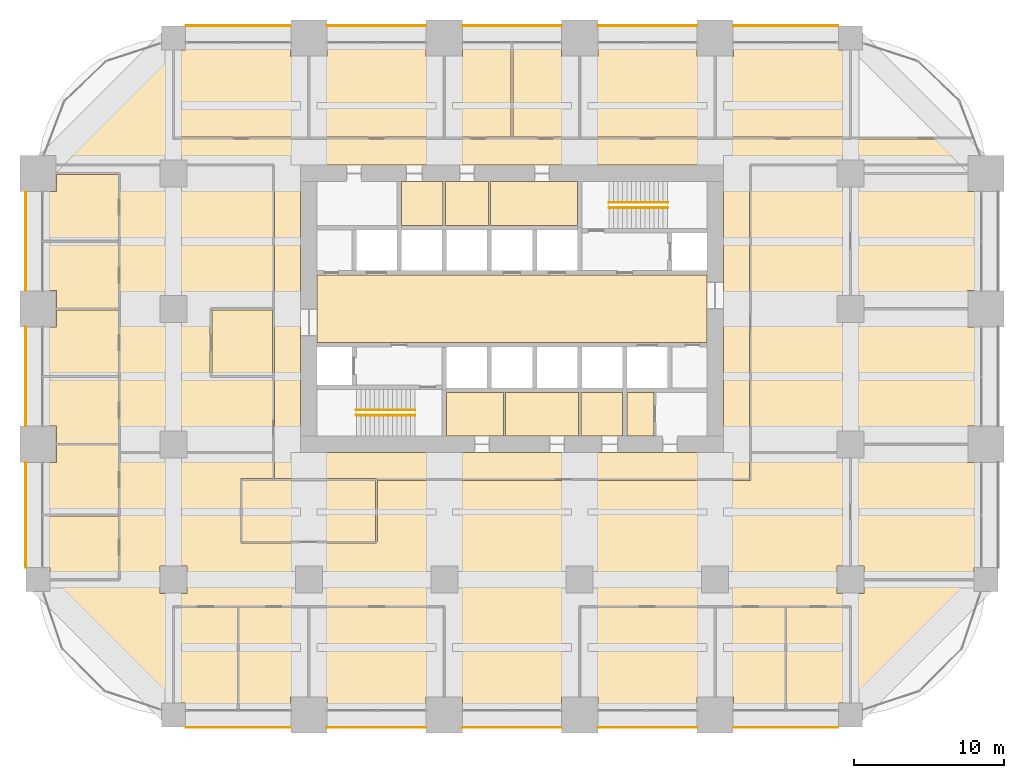
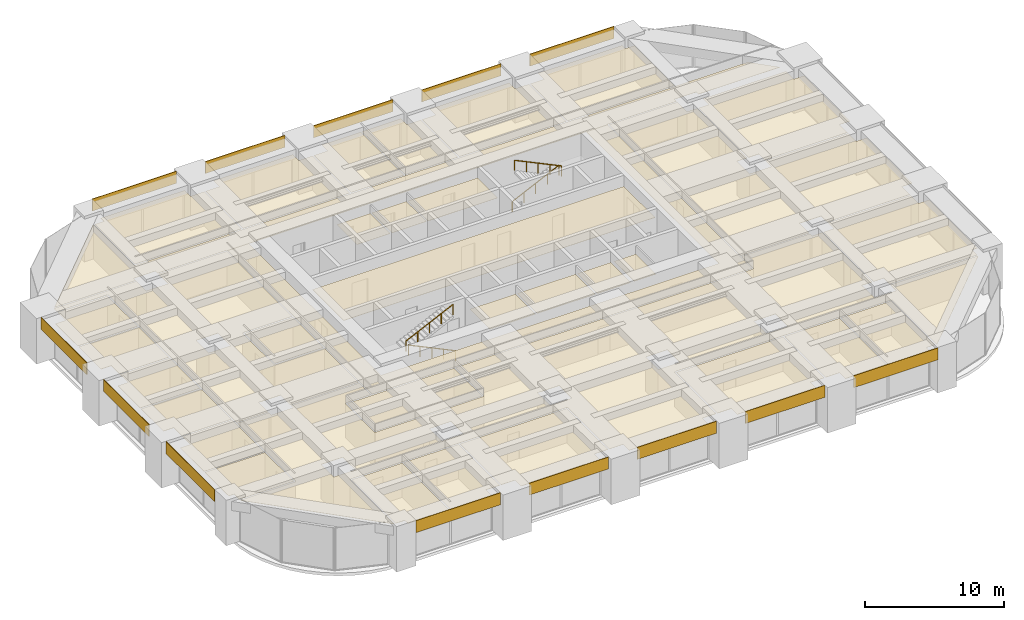
# One storey, part 42 of 43: 48 coverings, 4 railings.
"""IFC4 building model written with IfcOpenShell, lengths in metres."""

from ifc_helpers import new_model, si_unit, direction, frame, frame_2d, origin, origin_2d, place, context, subcontext, project, spatial, polyline, rectangle, circle, outline, extrude, material, layer, layer_set, type_object, element, save


model = new_model("IFC4")

# Units and contexts
model_context = context("Model", 3, precision=1e-05, world=origin(), true_north=direction((0.0, 1.0)))
body_context = subcontext(model_context, "Body", "Model", "MODEL_VIEW")
ifc_project = project(units=[si_unit("LENGTHUNIT", "METRE"), si_unit("AREAUNIT", "SQUARE_METRE"), si_unit("VOLUMEUNIT", "CUBIC_METRE"), si_unit("PLANEANGLEUNIT", "RADIAN"), si_unit("MASSUNIT", "GRAM", prefix="KILO")], contexts=[model_context])

# Site, building, storey
site_placement = place(None, origin())
site = spatial("IfcSite", under=ifc_project, at=site_placement, CompositionType="ELEMENT")
building_placement = place(site_placement, origin())
building = spatial("IfcBuilding", under=site, at=building_placement, Name="Zorevar Civic Tower", CompositionType="ELEMENT")
storey_placement = place(building_placement, frame((0.0, 0.0, 145.0)))
storey = spatial("IfcBuildingStorey", under=building, at=storey_placement, Name="L35", CompositionType="ELEMENT", Elevation=145.0)

# Railings
ifc_material_1 = material(Name="Black steel handrail", Category="steel")
railing_type = type_object("IfcRailingType", Name="Handrail HR1 900", PredefinedType="HANDRAIL", material=ifc_material_1)
railing_1_placement = place(storey_placement, frame((25.050048828125, 19.925048828125, 0.142822265625)))
element("IfcRailing", 1, at=railing_1_placement, inside=storey, type_object=railing_type, Name="Handrail HR1 ST1 L35", PredefinedType="HANDRAIL", context=body_context, shape_type="SweptSolid", body=[
    extrude(circle(Radius=0.02392578125, at=origin_2d()), frame((0.0, 0.0, 0.8759765625), z_axis=(-0.902863652845, 0.0, 0.429926998885), x_axis=(0.0, -1.0, 0.0)), (0.0, 0.0, 1.0), 4.31982421875),
    extrude(circle(Radius=0.02099609375, at=origin_2d()), origin(), (0.0, 0.0, 1.0), 0.851806640625),
    extrude(circle(Radius=0.02099609375, at=origin_2d()), frame((-0.97509765625, 0.0, 0.46435546875)), (0.0, 0.0, 1.0), 0.851806640625),
    extrude(circle(Radius=0.02099609375, at=origin_2d()), frame((-1.9501953125, 0.0, 0.9287109375)), (0.0, 0.0, 1.0), 0.851806640625),
    extrude(circle(Radius=0.02099609375, at=origin_2d()), frame((-2.925048828125, 0.0, 1.392822265625)), (0.0, 0.0, 1.0), 0.851806640625),
    extrude(circle(Radius=0.02099609375, at=origin_2d()), frame((-3.900146484375, 0.0, 1.857177734375)), (0.0, 0.0, 1.0), 0.851806640625),
])
for number, where, name in (
    (2, (21.14990234375, 20.27490234375, 2.142822265625), "Handrail HR1 ST1 L35"),
    (3, (37.949951171875, 34.074951171875, 0.142822265625), "Handrail HR1 ST2 L35"),
):
    element("IfcRailing", number, at=place(storey_placement, frame(where)), inside=storey, type_object=railing_type, Name=name, PredefinedType="HANDRAIL", context=body_context, shape_type="SweptSolid", body=[
        extrude(circle(Radius=0.02392578125, at=origin_2d()), frame((0.0, 0.0, 0.8759765625), z_axis=(0.902863652845, 0.0, 0.429926998885), x_axis=(0.0, 1.0, 0.0)), (0.0, 0.0, 1.0), 4.31982421875),
        extrude(circle(Radius=0.02099609375, at=origin_2d()), origin(), (0.0, 0.0, 1.0), 0.851806640625),
        extrude(circle(Radius=0.02099609375, at=origin_2d()), frame((0.97509765625, 0.0, 0.46435546875)), (0.0, 0.0, 1.0), 0.851806640625),
        extrude(circle(Radius=0.02099609375, at=origin_2d()), frame((1.9501953125, 0.0, 0.9287109375)), (0.0, 0.0, 1.0), 0.851806640625),
        extrude(circle(Radius=0.02099609375, at=origin_2d()), frame((2.925048828125, 0.0, 1.392822265625)), (0.0, 0.0, 1.0), 0.851806640625),
        extrude(circle(Radius=0.02099609375, at=origin_2d()), frame((3.900146484375, 0.0, 1.857177734375)), (0.0, 0.0, 1.0), 0.851806640625),
    ])
railing_2_placement = place(storey_placement, frame((41.85009765625, 33.72509765625, 2.142822265625)))
element("IfcRailing", 4, at=railing_2_placement, inside=storey, type_object=railing_type, Name="Handrail HR1 ST2 L35", PredefinedType="HANDRAIL", context=body_context, shape_type="SweptSolid", body=[
    extrude(circle(Radius=0.02392578125, at=origin_2d()), frame((0.0, 0.0, 0.8759765625), z_axis=(-0.902863652845, 0.0, 0.429926998885), x_axis=(0.0, -1.0, 0.0)), (0.0, 0.0, 1.0), 4.31982421875),
    extrude(circle(Radius=0.02099609375, at=origin_2d()), origin(), (0.0, 0.0, 1.0), 0.851806640625),
    extrude(circle(Radius=0.02099609375, at=origin_2d()), frame((-0.97509765625, 0.0, 0.46435546875)), (0.0, 0.0, 1.0), 0.851806640625),
    extrude(circle(Radius=0.02099609375, at=origin_2d()), frame((-1.9501953125, 0.0, 0.9287109375)), (0.0, 0.0, 1.0), 0.851806640625),
    extrude(circle(Radius=0.02099609375, at=origin_2d()), frame((-2.925048828125, 0.0, 1.392822265625)), (0.0, 0.0, 1.0), 0.851806640625),
    extrude(circle(Radius=0.02099609375, at=origin_2d()), frame((-3.900146484375, 0.0, 1.857177734375)), (0.0, 0.0, 1.0), 0.851806640625),
])

# Coverings
ifc_material_2 = material(Name="Moisture-resistant gypsum board")
ifc_layer_1 = layer(ifc_material_2, 0.012451171875)
ifc_layer_set_1 = layer_set([ifc_layer_1], Name="Moisture-resistant ceiling SC3")
covering_type_1 = type_object("IfcCoveringType", Name="Moisture-resistant ceiling SC3", PredefinedType="CEILING", material=ifc_layer_set_1)
covering_1_placement = place(storey_placement, frame((0.0, 0.0, 3.0)))
element("IfcCovering", 5, at=covering_1_placement, inside=storey, type_object=covering_type_1, Name="Ceiling L35-05", PredefinedType="CEILING", context=body_context, shape_type="SweptSolid", body=[
    extrude(outline(polyline([(30.925048828125, 18.550048828125), (30.925048828125, 21.449951171875), (27.14990234375, 21.449951171875), (27.14990234375, 18.550048828125), (30.925048828125, 18.550048828125)])), origin(), (0.0, 0.0, 1.0), 0.012451171875),
])
covering_2_placement = place(storey_placement, frame((0.0, 0.0, 3.0)))
element("IfcCovering", 6, at=covering_2_placement, inside=storey, type_object=covering_type_1, Name="Ceiling L35-06", PredefinedType="CEILING", context=body_context, shape_type="SweptSolid", body=[
    extrude(outline(polyline([(35.925048828125, 18.550048828125), (35.925048828125, 21.449951171875), (31.074951171875, 21.449951171875), (31.074951171875, 18.550048828125), (35.925048828125, 18.550048828125)])), origin(), (0.0, 0.0, 1.0), 0.012451171875),
])
covering_3_placement = place(storey_placement, frame((0.0, 0.0, 3.0)))
element("IfcCovering", 7, at=covering_3_placement, inside=storey, type_object=covering_type_1, Name="Ceiling L35-07", PredefinedType="CEILING", context=body_context, shape_type="SweptSolid", body=[
    extrude(outline(polyline([(38.85009765625, 18.550048828125), (38.85009765625, 21.449951171875), (36.074951171875, 21.449951171875), (36.074951171875, 18.550048828125), (38.85009765625, 18.550048828125)])), origin(), (0.0, 0.0, 1.0), 0.012451171875),
])
covering_4_placement = place(storey_placement, frame((0.0, 0.0, 3.0)))
element("IfcCovering", 8, at=covering_4_placement, inside=storey, type_object=covering_type_1, Name="Ceiling L35-10", PredefinedType="CEILING", context=body_context, shape_type="SweptSolid", body=[
    extrude(outline(polyline([(26.925048828125, 32.550048828125), (26.925048828125, 35.449951171875), (24.14990234375, 35.449951171875), (24.14990234375, 32.550048828125), (26.925048828125, 32.550048828125)])), origin(), (0.0, 0.0, 1.0), 0.012451171875),
])
ifc_material_3 = material(Name="Black anodised aluminium spandrel panel", Category="aluminium")
ifc_layer_2 = layer(ifc_material_3, 0.050048828125)
ifc_layer_set_2 = layer_set([ifc_layer_2], Name="Spandrel cladding SP1")
covering_type_2 = type_object("IfcCoveringType", Name="Spandrel cladding SP1", PredefinedType="CLADDING", material=ifc_layer_set_2)
covering_5_placement = place(storey_placement, frame((9.800048828125, -0.824951171875, 2.949951171875), z_axis=(0.0, 0.0, 1.0), x_axis=(1.0, 0.0, 0.0)))
element("IfcCovering", 9, at=covering_5_placement, inside=storey, type_object=covering_type_2, Name="Spandrel cladding L36", PredefinedType="CLADDING", context=body_context, shape_type="SweptSolid", body=[
    extrude(rectangle(XDim=7.0, YDim=0.050048828125, at=frame_2d((3.5, 0.0))), origin(), (0.0, 0.0, 1.0), 1.050048828125),
])
for number, where, z_axis, x_axis, name in (
    (10, (19.199951171875, -0.824951171875, 2.949951171875), (0.0, 0.0, 1.0), (1.0, 0.0, 0.0), "Spandrel cladding L36"),
    (11, (28.199951171875, -0.824951171875, 2.949951171875), (0.0, 0.0, 1.0), (1.0, 0.0, 0.0), "Spandrel cladding L36"),
    (12, (37.199951171875, -0.824951171875, 2.949951171875), (0.0, 0.0, 1.0), (1.0, 0.0, 0.0), "Spandrel cladding L36"),
):
    element("IfcCovering", number, at=place(storey_placement, frame(where, z_axis=z_axis, x_axis=x_axis)), inside=storey, type_object=covering_type_2, Name=name, PredefinedType="CLADDING", context=body_context, shape_type="SweptSolid", body=[
        extrude(rectangle(XDim=6.60009765625, YDim=0.050048828125, at=frame_2d((3.300048828125, 0.0))), origin(), (0.0, 0.0, 1.0), 1.050048828125),
    ])
for number, where, z_axis, x_axis, name in (
    (13, (46.199951171875, -0.824951171875, 2.949951171875), (0.0, 0.0, 1.0), (1.0, 0.0, 0.0), "Spandrel cladding L36"),
    (14, (9.800048828125, 45.824951171875, 2.949951171875), (0.0, 0.0, 1.0), (1.0, 0.0, 0.0), "Spandrel cladding L36"),
):
    element("IfcCovering", number, at=place(storey_placement, frame(where, z_axis=z_axis, x_axis=x_axis)), inside=storey, type_object=covering_type_2, Name=name, PredefinedType="CLADDING", context=body_context, shape_type="SweptSolid", body=[
        extrude(rectangle(XDim=7.0, YDim=0.050048828125, at=frame_2d((3.5, 0.0))), origin(), (0.0, 0.0, 1.0), 1.050048828125),
    ])
for number, where, z_axis, x_axis, name in (
    (15, (19.199951171875, 45.824951171875, 2.949951171875), (0.0, 0.0, 1.0), (1.0, 0.0, 0.0), "Spandrel cladding L36"),
    (16, (28.199951171875, 45.824951171875, 2.949951171875), (0.0, 0.0, 1.0), (1.0, 0.0, 0.0), "Spandrel cladding L36"),
    (17, (37.199951171875, 45.824951171875, 2.949951171875), (0.0, 0.0, 1.0), (1.0, 0.0, 0.0), "Spandrel cladding L36"),
):
    element("IfcCovering", number, at=place(storey_placement, frame(where, z_axis=z_axis, x_axis=x_axis)), inside=storey, type_object=covering_type_2, Name=name, PredefinedType="CLADDING", context=body_context, shape_type="SweptSolid", body=[
        extrude(rectangle(XDim=6.60009765625, YDim=0.050048828125, at=frame_2d((3.300048828125, 0.0))), origin(), (0.0, 0.0, 1.0), 1.050048828125),
    ])
for number, where, z_axis, x_axis, name in (
    (18, (46.199951171875, 45.824951171875, 2.949951171875), (0.0, 0.0, 1.0), (1.0, 0.0, 0.0), "Spandrel cladding L36"),
    (19, (-0.824951171875, 9.800048828125, 2.949951171875), (0.0, 0.0, 1.0), (0.0, 1.0, 0.0), "Spandrel cladding L36"),
):
    element("IfcCovering", number, at=place(storey_placement, frame(where, z_axis=z_axis, x_axis=x_axis)), inside=storey, type_object=covering_type_2, Name=name, PredefinedType="CLADDING", context=body_context, shape_type="SweptSolid", body=[
        extrude(rectangle(XDim=7.0, YDim=0.050048828125, at=frame_2d((3.5, 0.0))), origin(), (0.0, 0.0, 1.0), 1.050048828125),
    ])
for number, where, z_axis, x_axis, name in (
    (20, (-0.824951171875, 19.199951171875, 2.949951171875), (0.0, 0.0, 1.0), (0.0, 1.0, 0.0), "Spandrel cladding L36"),
    (21, (-0.824951171875, 28.199951171875, 2.949951171875), (0.0, 0.0, 1.0), (0.0, 1.0, 0.0), "Spandrel cladding L36"),
):
    element("IfcCovering", number, at=place(storey_placement, frame(where, z_axis=z_axis, x_axis=x_axis)), inside=storey, type_object=covering_type_2, Name=name, PredefinedType="CLADDING", context=body_context, shape_type="SweptSolid", body=[
        extrude(rectangle(XDim=6.60009765625, YDim=0.050048828125, at=frame_2d((3.300048828125, 0.0))), origin(), (0.0, 0.0, 1.0), 1.050048828125),
    ])
ifc_material_4 = material(Name="Mineral fibre tiles on a concealed grid")
ifc_layer_3 = layer(ifc_material_4, 0.02001953125)
ifc_layer_set_3 = layer_set([ifc_layer_3], Name="Suspended ceiling SC1")
covering_type_3 = type_object("IfcCoveringType", Name="Suspended ceiling SC1", PredefinedType="CEILING", material=ifc_layer_set_3)
covering_6_placement = place(storey_placement, frame((0.0, 0.0, 3.0)))
element("IfcCovering", 22, at=covering_6_placement, inside=storey, type_object=covering_type_3, Name="Ceiling L35-08", PredefinedType="CEILING", context=body_context, shape_type="SweptSolid", body=[
    extrude(outline(polyline([(35.85009765625, 32.550048828125), (35.85009765625, 35.449951171875), (30.06005859375, 35.449951171875), (30.06005859375, 32.550048828125), (35.85009765625, 32.550048828125)])), origin(), (0.0, 0.0, 1.0), 0.02001953125),
])
covering_7_placement = place(storey_placement, frame((0.0, 0.0, 3.0)))
element("IfcCovering", 23, at=covering_7_placement, inside=storey, type_object=covering_type_3, Name="Ceiling L35-09", PredefinedType="CEILING", context=body_context, shape_type="SweptSolid", body=[
    extrude(outline(polyline([(29.93994140625, 32.550048828125), (29.93994140625, 35.449951171875), (27.074951171875, 35.449951171875), (27.074951171875, 32.550048828125), (29.93994140625, 32.550048828125)])), origin(), (0.0, 0.0, 1.0), 0.02001953125),
])
covering_8_placement = place(storey_placement, frame((0.0, 0.0, 3.0)))
element("IfcCovering", 24, at=covering_8_placement, inside=storey, type_object=covering_type_3, Name="Ceiling L35-11", PredefinedType="CEILING", context=body_context, shape_type="SweptSolid", body=[
    extrude(outline(polyline([(40.93994140625, 18.550048828125), (40.93994140625, 21.449951171875), (39.14990234375, 21.449951171875), (39.14990234375, 18.550048828125), (40.93994140625, 18.550048828125)])), origin(), (0.0, 0.0, 1.0), 0.02001953125),
])
covering_9_placement = place(storey_placement, frame((0.0, 0.0, 3.0)))
element("IfcCovering", 25, at=covering_9_placement, inside=storey, type_object=covering_type_3, Name="Ceiling L35-16", PredefinedType="CEILING", context=body_context, shape_type="SweptSolid", body=[
    extrude(outline(polyline([(44.449951171875, 24.75), (44.449951171875, 29.25), (18.550048828125, 29.25), (18.550048828125, 24.75), (44.449951171875, 24.75)])), origin(), (0.0, 0.0, 1.0), 0.02001953125),
])
covering_10_placement = place(storey_placement, frame((0.0, 0.0, 3.0)))
element("IfcCovering", 26, at=covering_10_placement, inside=storey, type_object=covering_type_3, Name="Ceiling L35-17", PredefinedType="CEILING", context=body_context, shape_type="SweptSolid", body=[
    extrude(outline(polyline([(9.81005859375, 44.18994140625), (9.81005859375, 44.64990234375), (16.7900390625, 44.64990234375), (16.7900390625, 43.7900390625), (17.93994140625, 43.7900390625), (17.93994140625, 38.409912109375), (9.06005859375, 38.409912109375), (9.06005859375, 44.18994140625), (9.81005859375, 44.18994140625)])), origin(), (0.0, 0.0, 1.0), 0.02001953125),
])
covering_11_placement = place(storey_placement, frame((0.0, 0.0, 3.0)))
element("IfcCovering", 27, at=covering_11_placement, inside=storey, type_object=covering_type_3, Name="Ceiling L35-18", PredefinedType="CEILING", context=body_context, shape_type="SweptSolid", body=[
    extrude(outline(polyline([(19.2099609375, 43.7900390625), (19.2099609375, 44.64990234375), (25.7900390625, 44.64990234375), (25.7900390625, 43.7900390625), (26.93994140625, 43.7900390625), (26.93994140625, 38.409912109375), (18.06005859375, 38.409912109375), (18.06005859375, 43.7900390625), (19.2099609375, 43.7900390625)])), origin(), (0.0, 0.0, 1.0), 0.02001953125),
])
covering_12_placement = place(storey_placement, frame((0.0, 0.0, 3.0)))
element("IfcCovering", 28, at=covering_12_placement, inside=storey, type_object=covering_type_3, Name="Ceiling L35-19", PredefinedType="CEILING", context=body_context, shape_type="SweptSolid", body=[
    extrude(outline(polyline([(27.06005859375, 38.409912109375), (27.06005859375, 43.7900390625), (28.2099609375, 43.7900390625), (28.2099609375, 44.64990234375), (31.43994140625, 44.64990234375), (31.43994140625, 38.409912109375), (27.06005859375, 38.409912109375)])), origin(), (0.0, 0.0, 1.0), 0.02001953125),
])
covering_13_placement = place(storey_placement, frame((0.0, 0.0, 3.0)))
element("IfcCovering", 29, at=covering_13_placement, inside=storey, type_object=covering_type_3, Name="Ceiling L35-20", PredefinedType="CEILING", context=body_context, shape_type="SweptSolid", body=[
    extrude(outline(polyline([(31.56005859375, 38.409912109375), (31.56005859375, 44.64990234375), (34.7900390625, 44.64990234375), (34.7900390625, 43.7900390625), (35.93994140625, 43.7900390625), (35.93994140625, 38.409912109375), (31.56005859375, 38.409912109375)])), origin(), (0.0, 0.0, 1.0), 0.02001953125),
])
covering_14_placement = place(storey_placement, frame((0.0, 0.0, 3.0)))
element("IfcCovering", 30, at=covering_14_placement, inside=storey, type_object=covering_type_3, Name="Ceiling L35-21", PredefinedType="CEILING", context=body_context, shape_type="SweptSolid", body=[
    extrude(outline(polyline([(37.2099609375, 43.7900390625), (37.2099609375, 44.64990234375), (43.7900390625, 44.64990234375), (43.7900390625, 43.7900390625), (44.93994140625, 43.7900390625), (44.93994140625, 38.409912109375), (36.06005859375, 38.409912109375), (36.06005859375, 43.7900390625), (37.2099609375, 43.7900390625)])), origin(), (0.0, 0.0, 1.0), 0.02001953125),
])
covering_15_placement = place(storey_placement, frame((0.0, 0.0, 3.0)))
element("IfcCovering", 31, at=covering_15_placement, inside=storey, type_object=covering_type_3, Name="Ceiling L35-22", PredefinedType="CEILING", context=body_context, shape_type="SweptSolid", body=[
    extrude(outline(polyline([(46.2099609375, 43.7900390625), (46.2099609375, 44.64990234375), (53.18994140625, 44.64990234375), (53.18994140625, 44.18994140625), (53.93994140625, 44.18994140625), (53.93994140625, 38.409912109375), (45.06005859375, 38.409912109375), (45.06005859375, 43.7900390625), (46.2099609375, 43.7900390625)])), origin(), (0.0, 0.0, 1.0), 0.02001953125),
])
covering_16_placement = place(storey_placement, frame((0.0, 0.0, 3.0)))
element("IfcCovering", 32, at=covering_16_placement, inside=storey, type_object=covering_type_3, Name="Ceiling L35-23", PredefinedType="CEILING", context=body_context, shape_type="SweptSolid", body=[
    extrude(outline(polyline([(13.239990234375, 7.139892578125), (13.239990234375, 0.35009765625), (9.81005859375, 0.35009765625), (9.81005859375, 0.81005859375), (9.06005859375, 0.81005859375), (9.06005859375, 7.139892578125), (13.239990234375, 7.139892578125)])), origin(), (0.0, 0.0, 1.0), 0.02001953125),
])
covering_17_placement = place(storey_placement, frame((0.0, 0.0, 3.0)))
element("IfcCovering", 33, at=covering_17_placement, inside=storey, type_object=covering_type_3, Name="Ceiling L35-24", PredefinedType="CEILING", context=body_context, shape_type="SweptSolid", body=[
    extrude(outline(polyline([(17.93994140625, 7.139892578125), (17.93994140625, 1.2099609375), (16.7900390625, 1.2099609375), (16.7900390625, 0.35009765625), (13.360107421875, 0.35009765625), (13.360107421875, 7.139892578125), (17.93994140625, 7.139892578125)])), origin(), (0.0, 0.0, 1.0), 0.02001953125),
])
covering_18_placement = place(storey_placement, frame((0.0, 0.0, 3.0)))
element("IfcCovering", 34, at=covering_18_placement, inside=storey, type_object=covering_type_3, Name="Ceiling L35-25", PredefinedType="CEILING", context=body_context, shape_type="SweptSolid", body=[
    extrude(outline(polyline([(19.2099609375, 0.35009765625), (19.2099609375, 1.2099609375), (18.06005859375, 1.2099609375), (18.06005859375, 7.139892578125), (26.93994140625, 7.139892578125), (26.93994140625, 1.2099609375), (25.7900390625, 1.2099609375), (25.7900390625, 0.35009765625), (19.2099609375, 0.35009765625)])), origin(), (0.0, 0.0, 1.0), 0.02001953125),
])
covering_19_placement = place(storey_placement, frame((0.0, 0.0, 3.0)))
element("IfcCovering", 35, at=covering_19_placement, inside=storey, type_object=covering_type_3, Name="Ceiling L35-26", PredefinedType="CEILING", context=body_context, shape_type="SweptSolid", body=[
    extrude(outline(polyline([(37.2099609375, 0.35009765625), (37.2099609375, 1.2099609375), (36.06005859375, 1.2099609375), (36.06005859375, 7.139892578125), (44.93994140625, 7.139892578125), (44.93994140625, 1.2099609375), (43.7900390625, 1.2099609375), (43.7900390625, 0.35009765625), (37.2099609375, 0.35009765625)])), origin(), (0.0, 0.0, 1.0), 0.02001953125),
])
covering_20_placement = place(storey_placement, frame((0.0, 0.0, 3.0)))
element("IfcCovering", 36, at=covering_20_placement, inside=storey, type_object=covering_type_3, Name="Ceiling L35-27", PredefinedType="CEILING", context=body_context, shape_type="SweptSolid", body=[
    extrude(outline(polyline([(49.639892578125, 7.139892578125), (49.639892578125, 0.35009765625), (46.2099609375, 0.35009765625), (46.2099609375, 1.2099609375), (45.06005859375, 1.2099609375), (45.06005859375, 7.139892578125), (49.639892578125, 7.139892578125)])), origin(), (0.0, 0.0, 1.0), 0.02001953125),
])
covering_21_placement = place(storey_placement, frame((0.0, 0.0, 3.0)))
element("IfcCovering", 37, at=covering_21_placement, inside=storey, type_object=covering_type_3, Name="Ceiling L35-28", PredefinedType="CEILING", context=body_context, shape_type="SweptSolid", body=[
    extrude(outline(polyline([(53.93994140625, 7.139892578125), (53.93994140625, 0.81005859375), (53.18994140625, 0.81005859375), (53.18994140625, 0.35009765625), (49.760009765625, 0.35009765625), (49.760009765625, 7.139892578125), (53.93994140625, 7.139892578125)])), origin(), (0.0, 0.0, 1.0), 0.02001953125),
])
covering_22_placement = place(storey_placement, frame((0.0, 0.0, 3.0)))
element("IfcCovering", 38, at=covering_22_placement, inside=storey, type_object=covering_type_3, Name="Ceiling L35-29", PredefinedType="CEILING", context=body_context, shape_type="SweptSolid", body=[
    extrude(outline(polyline([(5.340087890625, 9.06005859375), (0.81005859375, 9.06005859375), (0.81005859375, 9.81005859375), (0.35009765625, 9.81005859375), (0.35009765625, 13.239990234375), (5.340087890625, 13.239990234375), (5.340087890625, 9.06005859375)])), origin(), (0.0, 0.0, 1.0), 0.02001953125),
])
covering_23_placement = place(storey_placement, frame((0.0, 0.0, 3.0)))
element("IfcCovering", 39, at=covering_23_placement, inside=storey, type_object=covering_type_3, Name="Ceiling L35-30", PredefinedType="CEILING", context=body_context, shape_type="SweptSolid", body=[
    extrude(outline(polyline([(5.340087890625, 13.360107421875), (0.35009765625, 13.360107421875), (0.35009765625, 16.7900390625), (1.2099609375, 16.7900390625), (1.2099609375, 17.93994140625), (5.340087890625, 17.93994140625), (5.340087890625, 13.360107421875)])), origin(), (0.0, 0.0, 1.0), 0.02001953125),
])
covering_24_placement = place(storey_placement, frame((0.0, 0.0, 3.0)))
element("IfcCovering", 40, at=covering_24_placement, inside=storey, type_object=covering_type_3, Name="Ceiling L35-31", PredefinedType="CEILING", context=body_context, shape_type="SweptSolid", body=[
    extrude(outline(polyline([(5.340087890625, 18.06005859375), (1.2099609375, 18.06005859375), (1.2099609375, 19.2099609375), (0.35009765625, 19.2099609375), (0.35009765625, 22.43994140625), (5.340087890625, 22.43994140625), (5.340087890625, 18.06005859375)])), origin(), (0.0, 0.0, 1.0), 0.02001953125),
])
covering_25_placement = place(storey_placement, frame((0.0, 0.0, 3.0)))
element("IfcCovering", 41, at=covering_25_placement, inside=storey, type_object=covering_type_3, Name="Ceiling L35-32", PredefinedType="CEILING", context=body_context, shape_type="SweptSolid", body=[
    extrude(outline(polyline([(5.340087890625, 22.56005859375), (0.35009765625, 22.56005859375), (0.35009765625, 25.7900390625), (1.2099609375, 25.7900390625), (1.2099609375, 26.93994140625), (5.340087890625, 26.93994140625), (5.340087890625, 22.56005859375)])), origin(), (0.0, 0.0, 1.0), 0.02001953125),
])
covering_26_placement = place(storey_placement, frame((0.0, 0.0, 3.0)))
element("IfcCovering", 42, at=covering_26_placement, inside=storey, type_object=covering_type_3, Name="Ceiling L35-33", PredefinedType="CEILING", context=body_context, shape_type="SweptSolid", body=[
    extrude(outline(polyline([(5.340087890625, 27.06005859375), (1.2099609375, 27.06005859375), (1.2099609375, 28.2099609375), (0.35009765625, 28.2099609375), (0.35009765625, 31.43994140625), (5.340087890625, 31.43994140625), (5.340087890625, 27.06005859375)])), origin(), (0.0, 0.0, 1.0), 0.02001953125),
])
covering_27_placement = place(storey_placement, frame((0.0, 0.0, 3.0)))
element("IfcCovering", 43, at=covering_27_placement, inside=storey, type_object=covering_type_3, Name="Ceiling L35-34", PredefinedType="CEILING", context=body_context, shape_type="SweptSolid", body=[
    extrude(outline(polyline([(5.340087890625, 31.56005859375), (0.35009765625, 31.56005859375), (0.35009765625, 34.7900390625), (1.2099609375, 34.7900390625), (1.2099609375, 35.93994140625), (5.340087890625, 35.93994140625), (5.340087890625, 31.56005859375)])), origin(), (0.0, 0.0, 1.0), 0.02001953125),
])
covering_28_placement = place(storey_placement, frame((0.0, 0.0, 3.0)))
element("IfcCovering", 44, at=covering_28_placement, inside=storey, type_object=covering_type_3, Name="Ceiling L35-35", PredefinedType="CEILING", context=body_context, shape_type="SweptSolid", body=[
    extrude(outline(polyline([(62.64990234375, 9.81005859375), (62.18994140625, 9.81005859375), (62.18994140625, 9.06005859375), (54.909912109375, 9.06005859375), (54.909912109375, 9.909912109375), (54.06005859375, 9.909912109375), (54.06005859375, 17.090087890625), (54.909912109375, 17.090087890625), (54.909912109375, 17.93994140625), (61.7900390625, 17.93994140625), (61.7900390625, 16.7900390625), (62.64990234375, 16.7900390625), (62.64990234375, 9.81005859375)])), origin(), (0.0, 0.0, 1.0), 0.02001953125),
])
covering_29_placement = place(storey_placement, frame((0.0, 0.0, 3.0)))
element("IfcCovering", 45, at=covering_29_placement, inside=storey, type_object=covering_type_3, Name="Ceiling L35-36", PredefinedType="CEILING", context=body_context, shape_type="SweptSolid", body=[
    extrude(outline(polyline([(62.64990234375, 28.2099609375), (61.7900390625, 28.2099609375), (61.7900390625, 27.06005859375), (54.909912109375, 27.06005859375), (54.909912109375, 27.909912109375), (54.06005859375, 27.909912109375), (54.06005859375, 35.090087890625), (54.909912109375, 35.090087890625), (54.909912109375, 35.93994140625), (61.7900390625, 35.93994140625), (61.7900390625, 34.7900390625), (62.64990234375, 34.7900390625), (62.64990234375, 28.2099609375)])), origin(), (0.0, 0.0, 1.0), 0.02001953125),
])
covering_30_placement = place(storey_placement, frame((0.0, 0.0, 3.0)))
element("IfcCovering", 46, at=covering_30_placement, inside=storey, type_object=covering_type_3, Name="Ceiling L35-37", PredefinedType="CEILING", context=body_context, shape_type="SweptSolid", body=[
    extrude(outline(polyline([(13.56005859375, 11.550048828125), (13.56005859375, 15.590087890625), (22.43994140625, 15.590087890625), (22.43994140625, 11.550048828125), (13.56005859375, 11.550048828125)])), origin(), (0.0, 0.0, 1.0), 0.02001953125),
])
covering_31_placement = place(storey_placement, frame((0.0, 0.0, 3.0)))
element("IfcCovering", 47, at=covering_31_placement, inside=storey, type_object=covering_type_3, Name="Ceiling L35-38", PredefinedType="CEILING", context=body_context, shape_type="SweptSolid", body=[
    extrude(outline(polyline([(11.56005859375, 26.93994140625), (15.590087890625, 26.93994140625), (15.590087890625, 22.56005859375), (11.56005859375, 22.56005859375), (11.56005859375, 26.93994140625)])), origin(), (0.0, 0.0, 1.0), 0.02001953125),
])
covering_32_placement = place(storey_placement, frame((0.0, 0.0, 3.0)))
element("IfcCovering", 48, at=covering_32_placement, inside=storey, type_object=covering_type_3, Name="Ceiling L35-40", PredefinedType="CEILING", context=body_context, shape_type="SweptSolid", body=[
    extrude(outline(polyline([(47.300048828125, 15.699951171875), (22.5, 15.699951171875), (22.5, 15.7099609375), (15.699951171875, 15.7099609375), (15.699951171875, 22.5), (15.7099609375, 22.5), (15.7099609375, 27.0), (15.699951171875, 27.0), (15.699951171875, 36.550048828125), (17.449951171875, 36.550048828125), (17.449951171875, 17.449951171875), (45.550048828125, 17.449951171875), (45.550048828125, 36.550048828125), (47.300048828125, 36.550048828125), (47.300048828125, 15.699951171875)])), origin(), (0.0, 0.0, 1.0), 0.02001953125),
])
covering_33_placement = place(storey_placement, frame((0.0, 0.0, 3.0)))
element("IfcCovering", 49, at=covering_33_placement, inside=storey, type_object=covering_type_3, Name="Ceiling L35-41", PredefinedType="CEILING", context=body_context, shape_type="SweptSolid", body=[
    extrude(outline(polyline([(62.64990234375, 19.2099609375), (61.7900390625, 19.2099609375), (61.7900390625, 18.06005859375), (54.909912109375, 18.06005859375), (54.909912109375, 18.909912109375), (53.090087890625, 18.909912109375), (53.090087890625, 17.5), (47.39990234375, 17.5), (47.39990234375, 36.5), (53.090087890625, 36.5), (53.090087890625, 35.090087890625), (53.93994140625, 35.090087890625), (53.93994140625, 27.909912109375), (53.090087890625, 27.909912109375), (53.090087890625, 26.090087890625), (54.909912109375, 26.090087890625), (54.909912109375, 26.93994140625), (61.7900390625, 26.93994140625), (61.7900390625, 25.7900390625), (62.64990234375, 25.7900390625), (62.64990234375, 19.2099609375)])), origin(), (0.0, 0.0, 1.0), 0.02001953125),
])
covering_34_placement = place(storey_placement, frame((0.0, 0.0, 3.0)))
element("IfcCovering", 50, at=covering_34_placement, inside=storey, type_object=covering_type_3, Name="Ceiling L35-42", PredefinedType="CEILING", context=body_context, shape_type="SweptSolid", body=[
    extrude(outline(polyline([(8.93994140625, 44.18994140625), (8.93994140625, 38.35009765625), (9.0, 38.35009765625), (9.0, 38.2900390625), (54.0, 38.2900390625), (54.0, 38.300048828125), (59.992919921875, 38.300048828125), (61.69287109375, 36.60009765625), (54.909912109375, 36.60009765625), (54.909912109375, 36.909912109375), (53.090087890625, 36.909912109375), (53.090087890625, 36.60009765625), (47.35009765625, 36.60009765625), (47.35009765625, 36.550048828125), (15.64990234375, 36.550048828125), (15.64990234375, 36.60009765625), (9.909912109375, 36.60009765625), (9.909912109375, 36.909912109375), (8.090087890625, 36.909912109375), (8.090087890625, 36.60009765625), (1.30712890625, 36.60009765625), (8.897216796875, 44.18994140625), (8.93994140625, 44.18994140625)])), origin(), (0.0, 0.0, 1.0), 0.02001953125),
])
covering_35_placement = place(storey_placement, frame((0.0, 0.0, 3.0)))
element("IfcCovering", 51, at=covering_35_placement, inside=storey, type_object=covering_type_3, Name="Ceiling L35-43", PredefinedType="CEILING", context=body_context, shape_type="SweptSolid", body=[
    extrude(outline(polyline([(8.090087890625, 17.090087890625), (9.909912109375, 17.090087890625), (9.909912109375, 17.39990234375), (15.60009765625, 17.39990234375), (15.60009765625, 15.7099609375), (13.5, 15.7099609375), (13.5, 15.64990234375), (13.43994140625, 15.64990234375), (13.43994140625, 11.5), (13.5, 11.5), (13.5, 11.449951171875), (22.5, 11.449951171875), (22.5, 11.5), (22.56005859375, 11.5), (22.56005859375, 15.60009765625), (47.35009765625, 15.60009765625), (47.35009765625, 15.64990234375), (47.39990234375, 15.64990234375), (47.39990234375, 17.39990234375), (53.090087890625, 17.39990234375), (53.090087890625, 17.090087890625), (53.93994140625, 17.090087890625), (53.93994140625, 9.909912109375), (53.090087890625, 9.909912109375), (53.090087890625, 8.090087890625), (54.909912109375, 8.090087890625), (54.909912109375, 8.93994140625), (62.18994140625, 8.93994140625), (62.18994140625, 8.897216796875), (54.102783203125, 0.81005859375), (54.06005859375, 0.81005859375), (54.06005859375, 7.199951171875), (54.0, 7.199951171875), (54.0, 7.260009765625), (36.0, 7.260009765625), (36.0, 7.199951171875), (35.93994140625, 7.199951171875), (35.93994140625, 1.2099609375), (34.7900390625, 1.2099609375), (34.7900390625, 0.35009765625), (28.2099609375, 0.35009765625), (28.2099609375, 1.2099609375), (27.06005859375, 1.2099609375), (27.06005859375, 7.199951171875), (27.0, 7.199951171875), (27.0, 7.260009765625), (9.0, 7.260009765625), (9.0, 7.199951171875), (8.93994140625, 7.199951171875), (8.93994140625, 0.81005859375), (8.897216796875, 0.81005859375), (0.81005859375, 8.897216796875), (0.81005859375, 8.93994140625), (5.39990234375, 8.93994140625), (5.39990234375, 9.0), (5.4599609375, 9.0), (5.4599609375, 17.39990234375), (8.090087890625, 17.39990234375), (8.090087890625, 17.090087890625)]), holes=[polyline([(8.090087890625, 9.909912109375), (8.090087890625, 8.090087890625), (9.909912109375, 8.090087890625), (9.909912109375, 9.909912109375), (8.090087890625, 9.909912109375)]), polyline([(18.909912109375, 8.090087890625), (18.909912109375, 9.909912109375), (17.090087890625, 9.909912109375), (17.090087890625, 8.090087890625), (18.909912109375, 8.090087890625)]), polyline([(26.090087890625, 9.909912109375), (26.090087890625, 8.090087890625), (27.909912109375, 8.090087890625), (27.909912109375, 9.909912109375), (26.090087890625, 9.909912109375)]), polyline([(36.909912109375, 8.090087890625), (36.909912109375, 9.909912109375), (35.090087890625, 9.909912109375), (35.090087890625, 8.090087890625), (36.909912109375, 8.090087890625)]), polyline([(44.090087890625, 8.090087890625), (45.909912109375, 8.090087890625), (45.909912109375, 9.909912109375), (44.090087890625, 9.909912109375), (44.090087890625, 8.090087890625)])]), origin(), (0.0, 0.0, 1.0), 0.02001953125),
])
covering_36_placement = place(storey_placement, frame((0.0, 0.0, 3.0)))
element("IfcCovering", 52, at=covering_36_placement, inside=storey, type_object=covering_type_3, Name="Ceiling L35-44", PredefinedType="CEILING", context=body_context, shape_type="SweptSolid", body=[
    extrude(outline(polyline([(15.60009765625, 22.43994140625), (15.60009765625, 17.5), (9.909912109375, 17.5), (9.909912109375, 18.909912109375), (8.090087890625, 18.909912109375), (8.090087890625, 17.5), (5.4599609375, 17.5), (5.4599609375, 36.0), (5.39990234375, 36.0), (5.39990234375, 36.06005859375), (1.2099609375, 36.06005859375), (1.2099609375, 36.5), (8.090087890625, 36.5), (8.090087890625, 35.090087890625), (9.909912109375, 35.090087890625), (9.909912109375, 36.5), (15.60009765625, 36.5), (15.60009765625, 27.06005859375), (11.5, 27.06005859375), (11.5, 27.0), (11.43994140625, 27.0), (11.43994140625, 22.5), (11.5, 22.5), (11.5, 22.43994140625), (15.60009765625, 22.43994140625)]), holes=[polyline([(8.090087890625, 27.909912109375), (8.090087890625, 26.090087890625), (9.909912109375, 26.090087890625), (9.909912109375, 27.909912109375), (8.090087890625, 27.909912109375)])]), origin(), (0.0, 0.0, 1.0), 0.02001953125),
])

save(model, "model.ifc")
